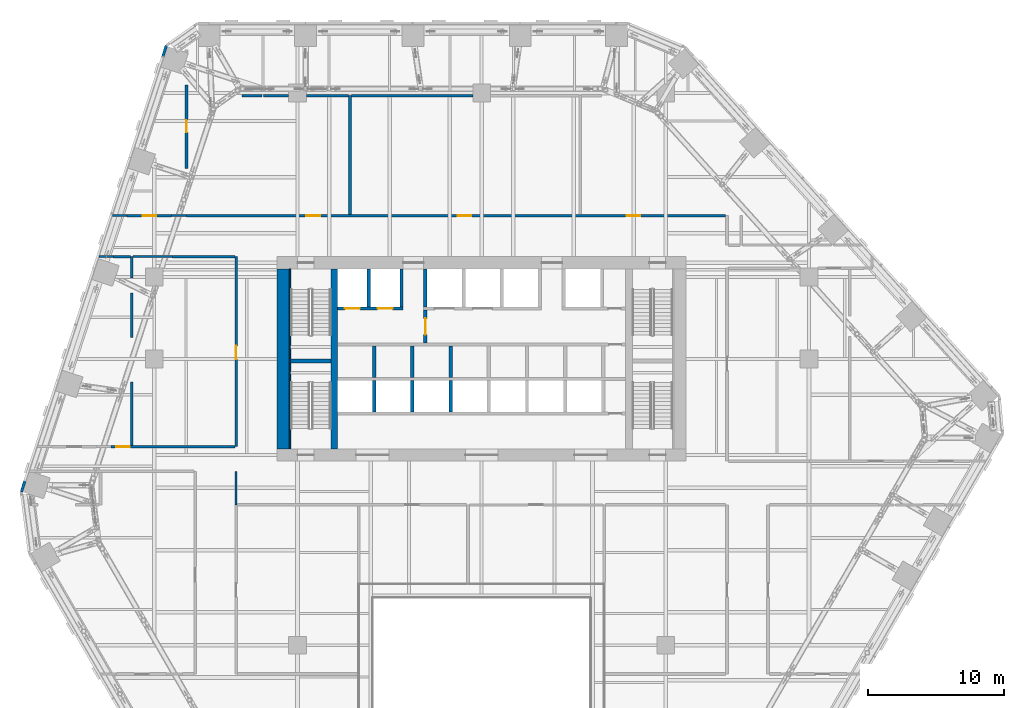
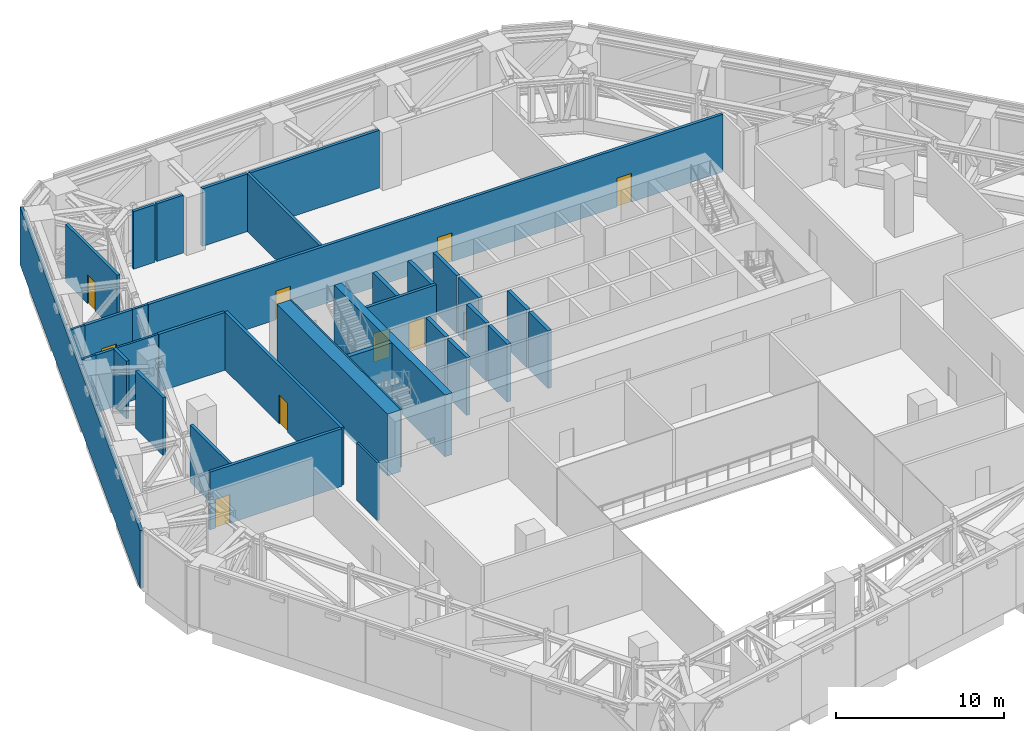
# One storey, part 22 of 36: 36 walls, 10 doors, 10 openings.
"""IFC4 building model written with IfcOpenShell, lengths in metres."""

from ifc_helpers import new_model, si_unit, direction, frame, frame_2d, origin, place, context, subcontext, project, spatial, rectangle, extrude, material, layer, layer_set, type_object, element, fill, save


model = new_model("IFC4")

# Units and contexts
model_context = context("Model", 3, precision=1e-05, world=origin(), true_north=direction((0.0, 1.0)))
body_context = subcontext(model_context, "Body", "Model", "MODEL_VIEW")
ifc_project = project(units=[si_unit("LENGTHUNIT", "METRE"), si_unit("AREAUNIT", "SQUARE_METRE"), si_unit("VOLUMEUNIT", "CUBIC_METRE"), si_unit("PLANEANGLEUNIT", "RADIAN"), si_unit("MASSUNIT", "GRAM", prefix="KILO")], contexts=[model_context])

# Site, building, storey
site_placement = place(None, origin())
site = spatial("IfcSite", under=ifc_project, at=site_placement, CompositionType="ELEMENT")
building_placement = place(site_placement, origin())
building = spatial("IfcBuilding", under=site, at=building_placement, Name="Isthmus Gate Tower", CompositionType="ELEMENT")
storey_placement = place(building_placement, frame((0.0, 0.0, 117.14990234375)))
storey = spatial("IfcBuildingStorey", under=building, at=storey_placement, Name="L28", CompositionType="ELEMENT", Elevation=117.14990234375)

# Wall, opening, door
ifc_material_1 = material(Name="Fire-rated blockwork masonry, 15 MPa", Category="masonry")
ifc_layer_1 = layer(ifc_material_1, 0.25)
ifc_layer_set_1 = layer_set([ifc_layer_1], Name="FIRE-FIGHTING LOBBY WALL 250 90 MIN")
wall_type_1 = type_object("IfcWallType", Name="FIRE-FIGHTING LOBBY WALL 250 90 MIN", PredefinedType="PARTITIONING", material=ifc_layer_set_1)
wall_1_placement = place(storey_placement, frame((-4.125, 8.64990234375, 0.0), z_axis=(0.0, 0.0, 1.0), x_axis=(0.0, 1.0, 0.0)))
wall_1 = element("IfcWall", 1, at=wall_1_placement, inside=storey, type_object=wall_type_1, Name="L28 FIRE-FIGHTING LOBBY WALL 250 90 MIN", PredefinedType="PARTITIONING", context=body_context, shape_type="SweptSolid", body=[
    extrude(rectangle(XDim=2.4501953125, YDim=0.25, at=frame_2d((1.22509765625, 0.0))), origin(), (0.0, 0.0, 1.0), 4.2001953125),
])
opening_1_placement = place(wall_1_placement, frame((0.625, 0.0, 0.0)))
opening_1 = element("IfcOpeningElement", 2, at=opening_1_placement, cuts=wall_1, Name="Opening DC-A07-01", PredefinedType="OPENING", context=body_context, shape_type="SweptSolid", body=[
    extrude(rectangle(XDim=1.199951171875, YDim=2.10009765625, at=frame_2d((0.60009765625, 1.050048828125))), frame((0.0, 0.135009765625, 0.0), z_axis=(0.0, -1.0, 0.0), x_axis=(1.0, 0.0, 0.0)), (0.0, 0.0, 1.0), 0.27001953125),
])
ifc_material_2 = material(Name="Steel door leaf, fire-rated", Category="steel")
door_type_1 = type_object("IfcDoorType", Name="LOBBY FIRE DOOR 1200 X 2100 90 MIN", OperationType="DOUBLE_DOOR_SINGLE_SWING", PredefinedType="DOOR", material=ifc_material_2)
door_1_placement = place(opening_1_placement, origin())
door_1 = element("IfcDoor", 3, at=door_1_placement, inside=storey, type_object=door_type_1, Name="Fire-fighting Lobby Door", OperationType="SINGLE_SWING_LEFT", OverallHeight=2.10009765625, OverallWidth=1.199951171875, PredefinedType="DOOR", context=body_context, shape_type="SweptSolid", body=[
    extrude(rectangle(XDim=1.199951171875, YDim=2.10009765625, at=frame_2d((0.60009765625, 1.050048828125))), frame((0.0, 0.02490234375, 0.0), z_axis=(0.0, -1.0, 0.0), x_axis=(1.0, 0.0, 0.0)), (0.0, 0.0, 1.0), 0.050048828125),
])
fill(opening_1, door_1)

ifc_material_3 = material(Name="Concrete f'c 30 MPa", Category="concrete")
ifc_layer_2 = layer(ifc_material_3, 0.199951171875)
ifc_layer_set_2 = layer_set([ifc_layer_2], Name="Fire-rated block wall 200")
wall_type_2 = type_object("IfcWallType", Name="Fire-rated block wall 200", PredefinedType="PARTITIONING", material=ifc_layer_set_2)
wall_2_placement = place(storey_placement, frame((-27.191162109375, 1.06103515625, 0.0), z_axis=(0.0, 0.0, 1.0), x_axis=(1.0, 0.0, 0.0)))
wall_2 = element("IfcWall", 4, at=wall_2_placement, inside=storey, type_object=wall_type_2, Name="Fire-rated wall", PredefinedType="PARTITIONING", context=body_context, shape_type="SweptSolid", body=[
    extrude(rectangle(XDim=9.091064453125, YDim=0.199951171875, at=frame_2d((4.54541015625, 0.0))), origin(), (0.0, 0.0, 1.0), 4.2001953125),
])
opening_2_placement = place(wall_2_placement, frame((0.39501953125, 0.0, 0.0)))
opening_2 = element("IfcOpeningElement", 5, at=opening_2_placement, cuts=wall_2, Name="Opening DP28-06", PredefinedType="OPENING", context=body_context, shape_type="SweptSolid", body=[
    extrude(rectangle(XDim=1.0, YDim=2.10009765625, at=frame_2d((0.5, 1.050048828125))), frame((0.0, 0.10986328125, 0.0), z_axis=(0.0, -1.0, 0.0), x_axis=(1.0, 0.0, 0.0)), (0.0, 0.0, 1.0), 0.219970703125),
])
ifc_material_4 = material(Name="Steel fire door with intumescent seals", Category="steel")
door_type_2 = type_object("IfcDoorType", Name="Fire door 1000 x 2100", OperationType="SINGLE_SWING_LEFT", PredefinedType="DOOR", material=ifc_material_4)
door_2_placement = place(opening_2_placement, origin())
door_2 = element("IfcDoor", 6, at=door_2_placement, inside=storey, type_object=door_type_2, Name="Door DP28-06", OperationType="SINGLE_SWING_LEFT", OverallHeight=2.10009765625, OverallWidth=1.0, PredefinedType="DOOR", context=body_context, shape_type="SweptSolid", body=[
    extrude(rectangle(XDim=1.0, YDim=2.10009765625, at=frame_2d((0.5, 1.050048828125))), frame((0.0, 0.02490234375, 0.0), z_axis=(0.0, -1.0, 0.0), x_axis=(1.0, 0.0, 0.0)), (0.0, 0.0, 1.0), 0.050048828125),
])
fill(opening_2, door_2)

# Walls
wall_3_placement = place(storey_placement, frame((-26.986328125, 15.0, 0.0), z_axis=(0.0, 0.0, 1.0), x_axis=(1.0, 0.0, 0.0)))
element("IfcWall", 7, at=wall_3_placement, inside=storey, type_object=wall_type_2, Name="Fire-rated wall", PredefinedType="PARTITIONING", context=body_context, shape_type="SweptSolid", body=[
    extrude(rectangle(XDim=1.240234375, YDim=0.199951171875, at=frame_2d((0.6201171875, 0.0))), origin(), (0.0, 0.0, 1.0), 4.2001953125),
])
wall_4_placement = place(storey_placement, frame((-22.662109375, 15.0, 0.0), z_axis=(0.0, 0.0, 1.0), x_axis=(1.0, 0.0, 0.0)))
element("IfcWall", 8, at=wall_4_placement, inside=storey, type_object=wall_type_2, Name="Fire-rated wall", PredefinedType="PARTITIONING", context=body_context, shape_type="SweptSolid", body=[
    extrude(rectangle(XDim=4.56201171875, YDim=0.199951171875, at=frame_2d((2.281005859375, 0.0))), origin(), (0.0, 0.0, 1.0), 4.2001953125),
])

# Wall, opening, door
wall_5_placement = place(storey_placement, frame((-26.011474609375, 18.0, 0.0), z_axis=(0.0, 0.0, 1.0), x_axis=(1.0, 0.0, 0.0)))
wall_5 = element("IfcWall", 9, at=wall_5_placement, inside=storey, type_object=wall_type_2, Name="Fire-rated wall", PredefinedType="PARTITIONING", context=body_context, shape_type="SweptSolid", body=[
    extrude(rectangle(XDim=3.272705078125, YDim=0.199951171875, at=frame_2d((1.63623046875, 0.0))), origin(), (0.0, 0.0, 1.0), 4.2001953125),
])
opening_3_placement = place(wall_5_placement, frame((1.14990234375, 0.0, 0.0)))
opening_3 = element("IfcOpeningElement", 10, at=opening_3_placement, cuts=wall_5, Name="Opening DP28-01", PredefinedType="OPENING", context=body_context, shape_type="SweptSolid", body=[
    extrude(rectangle(XDim=1.0, YDim=2.10009765625, at=frame_2d((0.5, 1.050048828125))), frame((0.0, 0.10986328125, 0.0), z_axis=(0.0, -1.0, 0.0), x_axis=(1.0, 0.0, 0.0)), (0.0, 0.0, 1.0), 0.219970703125),
])
door_3_placement = place(opening_3_placement, origin())
door_3 = element("IfcDoor", 11, at=door_3_placement, inside=storey, type_object=door_type_2, Name="Door DP28-01", OperationType="SINGLE_SWING_LEFT", OverallHeight=2.10009765625, OverallWidth=1.0, PredefinedType="DOOR", context=body_context, shape_type="SweptSolid", body=[
    extrude(rectangle(XDim=1.0, YDim=2.10009765625, at=frame_2d((0.5, 1.050048828125))), frame((0.0, 0.02490234375, 0.0), z_axis=(0.0, -1.0, 0.0), x_axis=(1.0, 0.0, 0.0)), (0.0, 0.0, 1.0), 0.050048828125),
])
fill(opening_3, door_3)

# Wall, openings, doors
wall_6_placement = place(storey_placement, frame((-21.64599609375, 18.0, 0.0), z_axis=(0.0, 0.0, 1.0), x_axis=(1.0, 0.0, 0.0)))
wall_6 = element("IfcWall", 12, at=wall_6_placement, inside=storey, type_object=wall_type_2, Name="Fire-rated wall", PredefinedType="PARTITIONING", context=body_context, shape_type="SweptSolid", body=[
    extrude(rectangle(XDim=39.5458984375, YDim=0.199951171875, at=frame_2d((19.77294921875, 0.0))), origin(), (0.0, 0.0, 1.0), 4.2001953125),
])
opening_4_placement = place(wall_6_placement, frame((8.796142578125, 0.0, 0.0)))
opening_4 = element("IfcOpeningElement", 13, at=opening_4_placement, cuts=wall_6, Name="Opening DP28-02", PredefinedType="OPENING", context=body_context, shape_type="SweptSolid", body=[
    extrude(rectangle(XDim=1.0, YDim=2.10009765625, at=frame_2d((0.5, 1.050048828125))), frame((0.0, 0.10986328125, 0.0), z_axis=(0.0, -1.0, 0.0), x_axis=(1.0, 0.0, 0.0)), (0.0, 0.0, 1.0), 0.219970703125),
])
opening_5_placement = place(wall_6_placement, frame((19.89990234375, 0.0, 0.0)))
opening_5 = element("IfcOpeningElement", 14, at=opening_5_placement, cuts=wall_6, Name="Opening DP28-03", PredefinedType="OPENING", context=body_context, shape_type="SweptSolid", body=[
    extrude(rectangle(XDim=1.0, YDim=2.10009765625, at=frame_2d((0.5, 1.050048828125))), frame((0.0, 0.10986328125, 0.0), z_axis=(0.0, -1.0, 0.0), x_axis=(1.0, 0.0, 0.0)), (0.0, 0.0, 1.0), 0.219970703125),
])
opening_6_placement = place(wall_6_placement, frame((32.2734375, 0.0, 0.0)))
opening_6 = element("IfcOpeningElement", 15, at=opening_6_placement, cuts=wall_6, Name="Opening DP28-04", PredefinedType="OPENING", context=body_context, shape_type="SweptSolid", body=[
    extrude(rectangle(XDim=1.0, YDim=2.10009765625, at=frame_2d((0.5, 1.050048828125))), frame((0.0, 0.10986328125, 0.0), z_axis=(0.0, -1.0, 0.0), x_axis=(1.0, 0.0, 0.0)), (0.0, 0.0, 1.0), 0.219970703125),
])
door_4_placement = place(opening_4_placement, origin())
door_4 = element("IfcDoor", 16, at=door_4_placement, inside=storey, type_object=door_type_2, Name="Door DP28-02", OperationType="SINGLE_SWING_LEFT", OverallHeight=2.10009765625, OverallWidth=1.0, PredefinedType="DOOR", context=body_context, shape_type="SweptSolid", body=[
    extrude(rectangle(XDim=1.0, YDim=2.10009765625, at=frame_2d((0.5, 1.050048828125))), frame((0.0, 0.02490234375, 0.0), z_axis=(0.0, -1.0, 0.0), x_axis=(1.0, 0.0, 0.0)), (0.0, 0.0, 1.0), 0.050048828125),
])
fill(opening_4, door_4)
door_5_placement = place(opening_5_placement, origin())
door_5 = element("IfcDoor", 17, at=door_5_placement, inside=storey, type_object=door_type_2, Name="Door DP28-03", OperationType="SINGLE_SWING_LEFT", OverallHeight=2.10009765625, OverallWidth=1.0, PredefinedType="DOOR", context=body_context, shape_type="SweptSolid", body=[
    extrude(rectangle(XDim=1.0, YDim=2.10009765625, at=frame_2d((0.5, 1.050048828125))), frame((0.0, 0.02490234375, 0.0), z_axis=(0.0, -1.0, 0.0), x_axis=(1.0, 0.0, 0.0)), (0.0, 0.0, 1.0), 0.050048828125),
])
fill(opening_5, door_5)
door_6_placement = place(opening_6_placement, origin())
door_6 = element("IfcDoor", 18, at=door_6_placement, inside=storey, type_object=door_type_2, Name="Door DP28-04", OperationType="SINGLE_SWING_LEFT", OverallHeight=2.10009765625, OverallWidth=1.0, PredefinedType="DOOR", context=body_context, shape_type="SweptSolid", body=[
    extrude(rectangle(XDim=1.0, YDim=2.10009765625, at=frame_2d((0.5, 1.050048828125))), frame((0.0, 0.02490234375, 0.0), z_axis=(0.0, -1.0, 0.0), x_axis=(1.0, 0.0, 0.0)), (0.0, 0.0, 1.0), 0.050048828125),
])
fill(opening_6, door_6)

# Walls
wall_7_placement = place(storey_placement, frame((-17.58203125, 26.800048828125, 0.0), z_axis=(0.0, 0.0, 1.0), x_axis=(1.0, 0.0, 0.0)))
element("IfcWall", 19, at=wall_7_placement, inside=storey, type_object=wall_type_2, Name="Fire-rated wall", PredefinedType="PARTITIONING", context=body_context, shape_type="SweptSolid", body=[
    extrude(rectangle(XDim=1.4716796875, YDim=0.199951171875, at=frame_2d((0.73583984375, 0.0))), origin(), (0.0, 0.0, 1.0), 4.2001953125),
])
wall_8_placement = place(storey_placement, frame((-15.9833984375, 26.800048828125, 0.0), z_axis=(0.0, 0.0, 1.0), x_axis=(1.0, 0.0, 0.0)))
element("IfcWall", 20, at=wall_8_placement, inside=storey, type_object=wall_type_2, Name="Fire-rated wall", PredefinedType="PARTITIONING", context=body_context, shape_type="SweptSolid", body=[
    extrude(rectangle(XDim=1.83349609375, YDim=0.199951171875, at=frame_2d((0.916748046875, 0.0))), origin(), (0.0, 0.0, 1.0), 4.2001953125),
])
wall_9_placement = place(storey_placement, frame((-12.85009765625, 26.800048828125, 0.0), z_axis=(0.0, 0.0, 1.0), x_axis=(1.0, 0.0, 0.0)))
element("IfcWall", 21, at=wall_9_placement, inside=storey, type_object=wall_type_2, Name="Fire-rated wall", PredefinedType="PARTITIONING", context=body_context, shape_type="SweptSolid", body=[
    extrude(rectangle(XDim=3.10400390625, YDim=0.199951171875, at=frame_2d((1.552001953125, 0.0))), origin(), (0.0, 0.0, 1.0), 4.2001953125),
])
wall_10_placement = place(storey_placement, frame((-9.5458984375, 26.800048828125, 0.0), z_axis=(0.0, 0.0, 1.0), x_axis=(1.0, 0.0, 0.0)))
element("IfcWall", 22, at=wall_10_placement, inside=storey, type_object=wall_type_2, Name="Fire-rated wall", PredefinedType="PARTITIONING", context=body_context, shape_type="SweptSolid", body=[
    extrude(rectangle(XDim=8.89599609375, YDim=0.199951171875, at=frame_2d((4.447998046875, 0.0))), origin(), (0.0, 0.0, 1.0), 4.2001953125),
])
wall_11_placement = place(storey_placement, frame((-25.64599609375, 1.160888671875, 0.0), z_axis=(0.0, 0.0, 1.0), x_axis=(0.0, 1.0, 0.0)))
element("IfcWall", 23, at=wall_11_placement, inside=storey, type_object=wall_type_2, Name="Fire-rated wall", PredefinedType="PARTITIONING", context=body_context, shape_type="SweptSolid", body=[
    extrude(rectangle(XDim=4.655029296875, YDim=0.199951171875, at=frame_2d((2.32763671875, 0.0))), origin(), (0.0, 0.0, 1.0), 4.2001953125),
])
wall_12_placement = place(storey_placement, frame((-25.64599609375, 9.052001953125, 0.0), z_axis=(0.0, 0.0, 1.0), x_axis=(0.0, 1.0, 0.0)))
element("IfcWall", 24, at=wall_12_placement, inside=storey, type_object=wall_type_2, Name="Fire-rated wall", PredefinedType="PARTITIONING", context=body_context, shape_type="SweptSolid", body=[
    extrude(rectangle(XDim=3.27880859375, YDim=0.199951171875, at=frame_2d((1.639404296875, 0.0))), origin(), (0.0, 0.0, 1.0), 4.2001953125),
])
wall_13_placement = place(storey_placement, frame((-25.64599609375, 13.443603515625, 0.0), z_axis=(0.0, 0.0, 1.0), x_axis=(0.0, 1.0, 0.0)))
element("IfcWall", 25, at=wall_13_placement, inside=storey, type_object=wall_type_2, Name="Fire-rated wall", PredefinedType="PARTITIONING", context=body_context, shape_type="SweptSolid", body=[
    extrude(rectangle(XDim=1.555419921875, YDim=0.199951171875, at=frame_2d((0.77783203125, 0.0))), origin(), (0.0, 0.0, 1.0), 4.2001953125),
])

# Wall, opening, door
wall_14_placement = place(storey_placement, frame((-21.64599609375, 21.4599609375, 0.0), z_axis=(0.0, 0.0, 1.0), x_axis=(0.0, 1.0, 0.0)))
wall_14 = element("IfcWall", 26, at=wall_14_placement, inside=storey, type_object=wall_type_2, Name="Fire-rated wall", PredefinedType="PARTITIONING", context=body_context, shape_type="SweptSolid", body=[
    extrude(rectangle(XDim=6.141357421875, YDim=0.199951171875, at=frame_2d((3.07080078125, 0.0))), origin(), (0.0, 0.0, 1.0), 4.2001953125),
])
opening_7_placement = place(wall_14_placement, frame((2.64990234375, 0.0, 0.0)))
opening_7 = element("IfcOpeningElement", 27, at=opening_7_placement, cuts=wall_14, Name="Opening DP28-23", PredefinedType="OPENING", context=body_context, shape_type="SweptSolid", body=[
    extrude(rectangle(XDim=0.89990234375, YDim=2.10009765625, at=frame_2d((0.449951171875, 1.050048828125))), frame((0.0, 0.10986328125, 0.0), z_axis=(0.0, -1.0, 0.0), x_axis=(1.0, 0.0, 0.0)), (0.0, 0.0, 1.0), 0.219970703125),
])
ifc_material_5 = material(Name="Steel fire door with intumescent seals", Category="steel")
door_type_3 = type_object("IfcDoorType", Name="Fire door 900 x 2100", OperationType="SINGLE_SWING_LEFT", PredefinedType="DOOR", material=ifc_material_5)
door_7_placement = place(opening_7_placement, origin())
door_7 = element("IfcDoor", 28, at=door_7_placement, inside=storey, type_object=door_type_3, Name="Door DP28-23", OperationType="SINGLE_SWING_LEFT", OverallHeight=2.10009765625, OverallWidth=0.89990234375, PredefinedType="DOOR", context=body_context, shape_type="SweptSolid", body=[
    extrude(rectangle(XDim=0.89990234375, YDim=2.10009765625, at=frame_2d((0.449951171875, 1.050048828125))), frame((0.0, 0.02490234375, 0.0), z_axis=(0.0, -1.0, 0.0), x_axis=(1.0, 0.0, 0.0)), (0.0, 0.0, 1.0), 0.050048828125),
])
fill(opening_7, door_7)

wall_15_placement = place(storey_placement, frame((-18.0, 1.060791015625, 0.0), z_axis=(0.0, 0.0, 1.0), x_axis=(0.0, 1.0, 0.0)))
wall_15 = element("IfcWall", 29, at=wall_15_placement, inside=storey, type_object=wall_type_2, Name="Fire-rated wall", PredefinedType="PARTITIONING", context=body_context, shape_type="SweptSolid", body=[
    extrude(rectangle(XDim=13.939208984375, YDim=0.199951171875, at=frame_2d((6.9697265625, 0.0))), origin(), (0.0, 0.0, 1.0), 4.2001953125),
])
opening_8_placement = place(wall_15_placement, frame((6.39990234375, 0.0, 0.0)))
opening_8 = element("IfcOpeningElement", 30, at=opening_8_placement, cuts=wall_15, Name="Opening DP28-07", PredefinedType="OPENING", context=body_context, shape_type="SweptSolid", body=[
    extrude(rectangle(XDim=1.0, YDim=2.10009765625, at=frame_2d((0.5, 1.050048828125))), frame((0.0, 0.10986328125, 0.0), z_axis=(0.0, -1.0, 0.0), x_axis=(1.0, 0.0, 0.0)), (0.0, 0.0, 1.0), 0.219970703125),
])
door_8_placement = place(opening_8_placement, origin())
door_8 = element("IfcDoor", 31, at=door_8_placement, inside=storey, type_object=door_type_2, Name="Door DP28-07", OperationType="SINGLE_SWING_LEFT", OverallHeight=2.10009765625, OverallWidth=1.0, PredefinedType="DOOR", context=body_context, shape_type="SweptSolid", body=[
    extrude(rectangle(XDim=1.0, YDim=2.10009765625, at=frame_2d((0.5, 1.050048828125))), frame((0.0, 0.02490234375, 0.0), z_axis=(0.0, -1.0, 0.0), x_axis=(1.0, 0.0, 0.0)), (0.0, 0.0, 1.0), 0.050048828125),
])
fill(opening_8, door_8)

# Walls
wall_16_placement = place(storey_placement, frame((-9.64599609375, 18.10009765625, 0.0), z_axis=(0.0, 0.0, 1.0), x_axis=(0.0, 1.0, 0.0)))
element("IfcWall", 32, at=wall_16_placement, inside=storey, type_object=wall_type_2, Name="Fire-rated wall", PredefinedType="PARTITIONING", context=body_context, shape_type="SweptSolid", body=[
    extrude(rectangle(XDim=8.699951171875, YDim=0.199951171875, at=frame_2d((4.35009765625, 0.0))), origin(), (0.0, 0.0, 1.0), 4.2001953125),
])
wall_17_placement = place(storey_placement, frame((-33.748291015625, -2.25146484375, 0.0), z_axis=(0.0, 0.0, 1.0), x_axis=(0.309016451263, 0.951056692763, 0.0)))
element("IfcWall", 33, at=wall_17_placement, inside=storey, type_object=wall_type_2, Name="Fire-rated wall", PredefinedType="PARTITIONING", context=body_context, shape_type="SweptSolid", body=[
    extrude(rectangle(XDim=34.413330078125, YDim=0.199951171875, at=frame_2d((17.20654296875, 0.0))), origin(), (0.0, 0.0, 1.0), 4.2001953125),
])
ifc_material_6 = material(Name="Gypsum board on cold-formed steel studs", Category="steel")
ifc_layer_3 = layer(ifc_material_6, 0.14990234375)
ifc_layer_set_3 = layer_set([ifc_layer_3])
wall_type_3 = type_object("IfcWallType", Name="Partition 150 gypsum board on steel studs", PredefinedType="PARTITIONING", material=ifc_layer_set_3)
wall_18_placement = place(storey_placement, frame((-28.03759765625, 15.0, 0.0), z_axis=(0.0, 0.0, 1.0), x_axis=(1.0, 0.0, 0.0)))
element("IfcWall", 34, at=wall_18_placement, inside=storey, type_object=wall_type_3, Name="Partition", PredefinedType="PARTITIONING", context=body_context, shape_type="SweptSolid", body=[
    extrude(rectangle(XDim=1.05029296875, YDim=0.14990234375, at=frame_2d((0.525146484375, 0.0))), origin(), (0.0, 0.0, 1.0), 4.2001953125),
])
wall_19_placement = place(storey_placement, frame((-25.5458984375, 15.0, 0.0), z_axis=(0.0, 0.0, 1.0), x_axis=(1.0, 0.0, 0.0)))
element("IfcWall", 35, at=wall_19_placement, inside=storey, type_object=wall_type_3, Name="Partition", PredefinedType="PARTITIONING", context=body_context, shape_type="SweptSolid", body=[
    extrude(rectangle(XDim=2.8828125, YDim=0.14990234375, at=frame_2d((1.44140625, 0.0))), origin(), (0.0, 0.0, 1.0), 4.2001953125),
])
wall_20_placement = place(storey_placement, frame((-27.06298828125, 18.0, 0.0), z_axis=(0.0, 0.0, 1.0), x_axis=(1.0, 0.0, 0.0)))
element("IfcWall", 36, at=wall_20_placement, inside=storey, type_object=wall_type_3, Name="Partition", PredefinedType="PARTITIONING", context=body_context, shape_type="SweptSolid", body=[
    extrude(rectangle(XDim=1.050537109375, YDim=0.14990234375, at=frame_2d((0.525390625, 0.0))), origin(), (0.0, 0.0, 1.0), 4.2001953125),
])
wall_21_placement = place(storey_placement, frame((-22.73779296875, 18.0, 0.0), z_axis=(0.0, 0.0, 1.0), x_axis=(1.0, 0.0, 0.0)))
element("IfcWall", 37, at=wall_21_placement, inside=storey, type_object=wall_type_3, Name="Partition", PredefinedType="PARTITIONING", context=body_context, shape_type="SweptSolid", body=[
    extrude(rectangle(XDim=1.090576171875, YDim=0.14990234375, at=frame_2d((0.54541015625, 0.0))), origin(), (0.0, 0.0, 1.0), 4.2001953125),
])
wall_22_placement = place(storey_placement, frame((-18.0, -3.199951171875, 0.0), z_axis=(0.0, 0.0, 1.0), x_axis=(0.0, 1.0, 0.0)))
element("IfcWall", 38, at=wall_22_placement, inside=storey, type_object=wall_type_3, Name="Partition", PredefinedType="PARTITIONING", context=body_context, shape_type="SweptSolid", body=[
    extrude(rectangle(XDim=2.460693359375, YDim=0.14990234375, at=frame_2d((1.23046875, 0.0))), origin(), (0.0, 0.0, 1.0), 4.2001953125),
])
ifc_material_7 = material(Name="Concrete f'c 70 MPa", Category="concrete")
ifc_layer_4 = layer(ifc_material_7, 0.5)
ifc_layer_set_4 = layer_set([ifc_layer_4], Name="RC CORE SPINE WALL 500 F'C 70")
wall_type_4 = type_object("IfcWallType", Name="RC CORE SPINE WALL 500 F'C 70", PredefinedType="SOLIDWALL", material=ifc_layer_set_4)
wall_23_placement = place(storey_placement, frame((-10.800048828125, 0.89990234375, -0.2998046875), z_axis=(0.0, 0.0, 1.0), x_axis=(0.0, 1.0, 0.0)))
element("IfcWall", 39, at=wall_23_placement, inside=storey, type_object=wall_type_4, Name="str-corewall-L28-SPW", PredefinedType="SOLIDWALL", context=body_context, shape_type="SweptSolid", body=[
    extrude(rectangle(XDim=13.2001953125, YDim=0.5, at=frame_2d((6.60009765625, 0.0))), origin(), (0.0, 0.0, 1.0), 4.5),
])
ifc_material_8 = material(Name="Concrete f'c 70 MPa", Category="concrete")
ifc_layer_5 = layer(ifc_material_8, 0.89990234375)
ifc_layer_set_5 = layer_set([ifc_layer_5], Name="RC CORE WALL 900 F'C 70")
wall_type_5 = type_object("IfcWallType", Name="RC CORE WALL 900 F'C 70", PredefinedType="SOLIDWALL", material=ifc_layer_set_5)
wall_24_placement = place(storey_placement, frame((-14.550048828125, 0.89990234375, -0.2998046875), z_axis=(0.0, 0.0, 1.0), x_axis=(0.0, 1.0, 0.0)))
element("IfcWall", 40, at=wall_24_placement, inside=storey, type_object=wall_type_5, Name="str-corewall-L28-W", PredefinedType="SOLIDWALL", context=body_context, shape_type="SweptSolid", body=[
    extrude(rectangle(XDim=13.2001953125, YDim=0.89990234375, at=frame_2d((6.60009765625, 0.0))), origin(), (0.0, 0.0, 1.0), 4.5),
])

# Wall, openings, doors
ifc_material_9 = material(Name="Fire-rated blockwork masonry, 15 MPa", Category="masonry")
ifc_layer_6 = layer(ifc_material_9, 0.199951171875)
ifc_layer_set_6 = layer_set([ifc_layer_6], Name="SHAFT FRONT WALL 200 120 MIN")
wall_type_6 = type_object("IfcWallType", Name="SHAFT FRONT WALL 200 120 MIN", PredefinedType="PARTITIONING", material=ifc_layer_set_6)
wall_25_placement = place(storey_placement, frame((-10.550048828125, 11.199951171875, 0.0), z_axis=(0.0, 0.0, 1.0), x_axis=(1.0, 0.0, 0.0)))
wall_25 = element("IfcWall", 41, at=wall_25_placement, inside=storey, type_object=wall_type_6, Name="L28 SHAFT FRONT WALL 200 120 MIN", PredefinedType="PARTITIONING", context=body_context, shape_type="SweptSolid", body=[
    extrude(rectangle(XDim=4.800048828125, YDim=0.199951171875, at=frame_2d((2.39990234375, 0.0))), origin(), (0.0, 0.0, 1.0), 4.2001953125),
])
opening_9_placement = place(wall_25_placement, frame((0.52490234375, 0.0, 0.0)))
opening_9 = element("IfcOpeningElement", 42, at=opening_9_placement, cuts=wall_25, Name="Opening LD-LF1", PredefinedType="OPENING", context=body_context, shape_type="SweptSolid", body=[
    extrude(rectangle(XDim=1.10009765625, YDim=2.10009765625, at=frame_2d((0.550048828125, 1.050048828125))), frame((0.0, 0.10986328125, 0.0), z_axis=(0.0, -1.0, 0.0), x_axis=(1.0, 0.0, 0.0)), (0.0, 0.0, 1.0), 0.219970703125),
])
opening_10_placement = place(wall_25_placement, frame((2.925048828125, 0.0, 0.0)))
opening_10 = element("IfcOpeningElement", 43, at=opening_10_placement, cuts=wall_25, Name="Opening LD-LF2", PredefinedType="OPENING", context=body_context, shape_type="SweptSolid", body=[
    extrude(rectangle(XDim=1.10009765625, YDim=2.10009765625, at=frame_2d((0.550048828125, 1.050048828125))), frame((0.0, 0.10986328125, 0.0), z_axis=(0.0, -1.0, 0.0), x_axis=(1.0, 0.0, 0.0)), (0.0, 0.0, 1.0), 0.219970703125),
])
ifc_material_10 = material(Name="Stainless steel sliding leaf", Category="steel")
door_type_4 = type_object("IfcDoorType", Name="LIFT LANDING FIRE DOOR 1100 X 2100 90 MIN", OperationType="DOUBLE_DOOR_SLIDING", PredefinedType="DOOR", material=ifc_material_10)
door_9_placement = place(opening_9_placement, origin())
door_9 = element("IfcDoor", 44, at=door_9_placement, inside=storey, type_object=door_type_4, Name="Lift Landing Door LF1", OperationType="DOUBLE_DOOR_SLIDING", OverallHeight=2.10009765625, OverallWidth=1.10009765625, PredefinedType="DOOR", context=body_context, shape_type="SweptSolid", body=[
    extrude(rectangle(XDim=1.10009765625, YDim=2.10009765625, at=frame_2d((0.550048828125, 1.050048828125))), frame((0.0, 0.02490234375, 0.0), z_axis=(0.0, -1.0, 0.0), x_axis=(1.0, 0.0, 0.0)), (0.0, 0.0, 1.0), 0.050048828125),
])
fill(opening_9, door_9)
door_10_placement = place(opening_10_placement, origin())
door_10 = element("IfcDoor", 45, at=door_10_placement, inside=storey, type_object=door_type_4, Name="Lift Landing Door LF2", OperationType="DOUBLE_DOOR_SLIDING", OverallHeight=2.10009765625, OverallWidth=1.10009765625, PredefinedType="DOOR", context=body_context, shape_type="SweptSolid", body=[
    extrude(rectangle(XDim=1.10009765625, YDim=2.10009765625, at=frame_2d((0.550048828125, 1.050048828125))), frame((0.0, 0.02490234375, 0.0), z_axis=(0.0, -1.0, 0.0), x_axis=(1.0, 0.0, 0.0)), (0.0, 0.0, 1.0), 0.050048828125),
])
fill(opening_10, door_10)

# Walls
ifc_material_11 = material(Name="Fire-rated blockwork masonry, 15 MPa", Category="masonry")
ifc_layer_7 = layer(ifc_material_11, 0.25)
ifc_layer_set_7 = layer_set([ifc_layer_7], Name="SHAFT WALL 250 120 MIN")
wall_type_7 = type_object("IfcWallType", Name="SHAFT WALL 250 120 MIN", PredefinedType="PARTITIONING", material=ifc_layer_set_7)
for number, where, z_axis, x_axis, name in (
    (46, (-7.875, 3.60009765625, 0.0), (0.0, 0.0, 1.0), (0.0, 1.0, 0.0), "L28 SHAFT WALL 250 120 MIN"),
    (47, (-5.074951171875, 3.60009765625, 0.0), (0.0, 0.0, 1.0), (0.0, 1.0, 0.0), "L28 SHAFT WALL 250 120 MIN"),
    (48, (-2.27490234375, 3.60009765625, 0.0), (0.0, 0.0, 1.0), (0.0, 1.0, 0.0), "L28 SHAFT WALL 250 120 MIN"),
):
    element("IfcWall", number, at=place(storey_placement, frame(where, z_axis=z_axis, x_axis=x_axis)), inside=storey, type_object=wall_type_7, Name=name, PredefinedType="PARTITIONING", context=body_context, shape_type="SweptSolid", body=[
        extrude(rectangle(XDim=2.2998046875, YDim=0.25, at=frame_2d((1.14990234375, 0.0))), origin(), (0.0, 0.0, 1.0), 4.2001953125),
    ])
for number, where, z_axis, x_axis, name in (
    (49, (-7.875, 6.14990234375, 0.0), (0.0, 0.0, 1.0), (0.0, 1.0, 0.0), "L28 SHAFT WALL 250 120 MIN"),
    (50, (-5.074951171875, 6.14990234375, 0.0), (0.0, 0.0, 1.0), (0.0, 1.0, 0.0), "L28 SHAFT WALL 250 120 MIN"),
    (51, (-2.27490234375, 6.14990234375, 0.0), (0.0, 0.0, 1.0), (0.0, 1.0, 0.0), "L28 SHAFT WALL 250 120 MIN"),
):
    element("IfcWall", number, at=place(storey_placement, frame(where, z_axis=z_axis, x_axis=x_axis)), inside=storey, type_object=wall_type_7, Name=name, PredefinedType="PARTITIONING", context=body_context, shape_type="SweptSolid", body=[
        extrude(rectangle(XDim=2.300048828125, YDim=0.25, at=frame_2d((1.14990234375, 0.0))), origin(), (0.0, 0.0, 1.0), 4.2001953125),
    ])
for number, where, z_axis, x_axis, name in (
    (52, (-8.27490234375, 11.300048828125, 0.0), (0.0, 0.0, 1.0), (0.0, 1.0, 0.0), "L28 SHAFT WALL 250 120 MIN"),
    (53, (-5.875, 11.300048828125, 0.0), (0.0, 0.0, 1.0), (0.0, 1.0, 0.0), "L28 SHAFT WALL 250 120 MIN"),
    (54, (-4.125, 11.300048828125, 0.0), (0.0, 0.0, 1.0), (0.0, 1.0, 0.0), "L28 SHAFT WALL 250 120 MIN"),
):
    element("IfcWall", number, at=place(storey_placement, frame(where, z_axis=z_axis, x_axis=x_axis)), inside=storey, type_object=wall_type_7, Name=name, PredefinedType="PARTITIONING", context=body_context, shape_type="SweptSolid", body=[
        extrude(rectangle(XDim=2.800048828125, YDim=0.25, at=frame_2d((1.39990234375, 0.0))), origin(), (0.0, 0.0, 1.0), 4.2001953125),
    ])
ifc_material_12 = material(Name="Concrete f'c 40 MPa", Category="concrete")
ifc_layer_8 = layer(ifc_material_12, 0.10009765625)
ifc_layer_set_8 = layer_set([ifc_layer_8], Name="STAIR ENCLOSURE WALL 100 180 MIN")
wall_type_8 = type_object("IfcWallType", Name="STAIR ENCLOSURE WALL 100 180 MIN", PredefinedType="SOLIDWALL", material=ifc_layer_set_8)
wall_26_placement = place(storey_placement, frame((-14.050048828125, 0.89990234375, 0.0), z_axis=(0.0, 0.0, 1.0), x_axis=(0.0, 1.0, 0.0)))
element("IfcWall", 55, at=wall_26_placement, inside=storey, type_object=wall_type_8, Name="L28 STAIR ENCLOSURE WALL 100 180 MIN", PredefinedType="SOLIDWALL", context=body_context, shape_type="SweptSolid", body=[
    extrude(rectangle(XDim=13.2001953125, YDim=0.10009765625, at=frame_2d((6.60009765625, 0.0))), origin(), (0.0, 0.0, 1.0), 4.2001953125),
])
ifc_material_13 = material(Name="Concrete f'c 40 MPa", Category="concrete")
ifc_layer_9 = layer(ifc_material_13, 0.300048828125)
ifc_layer_set_9 = layer_set([ifc_layer_9], Name="STAIR ENCLOSURE WALL 300 180 MIN")
wall_type_9 = type_object("IfcWallType", Name="STAIR ENCLOSURE WALL 300 180 MIN", PredefinedType="SOLIDWALL", material=ifc_layer_set_9)
wall_27_placement = place(storey_placement, frame((-14.0, 7.35009765625, 0.0), z_axis=(0.0, 0.0, 1.0), x_axis=(1.0, 0.0, 0.0)))
element("IfcWall", 56, at=wall_27_placement, inside=storey, type_object=wall_type_9, Name="L28 STAIR ENCLOSURE WALL 300 180 MIN", PredefinedType="SOLIDWALL", context=body_context, shape_type="SweptSolid", body=[
    extrude(rectangle(XDim=2.949951171875, YDim=0.300048828125, at=frame_2d((1.47509765625, 0.0))), origin(), (0.0, 0.0, 1.0), 4.2001953125),
])

save(model, "model.ifc")
